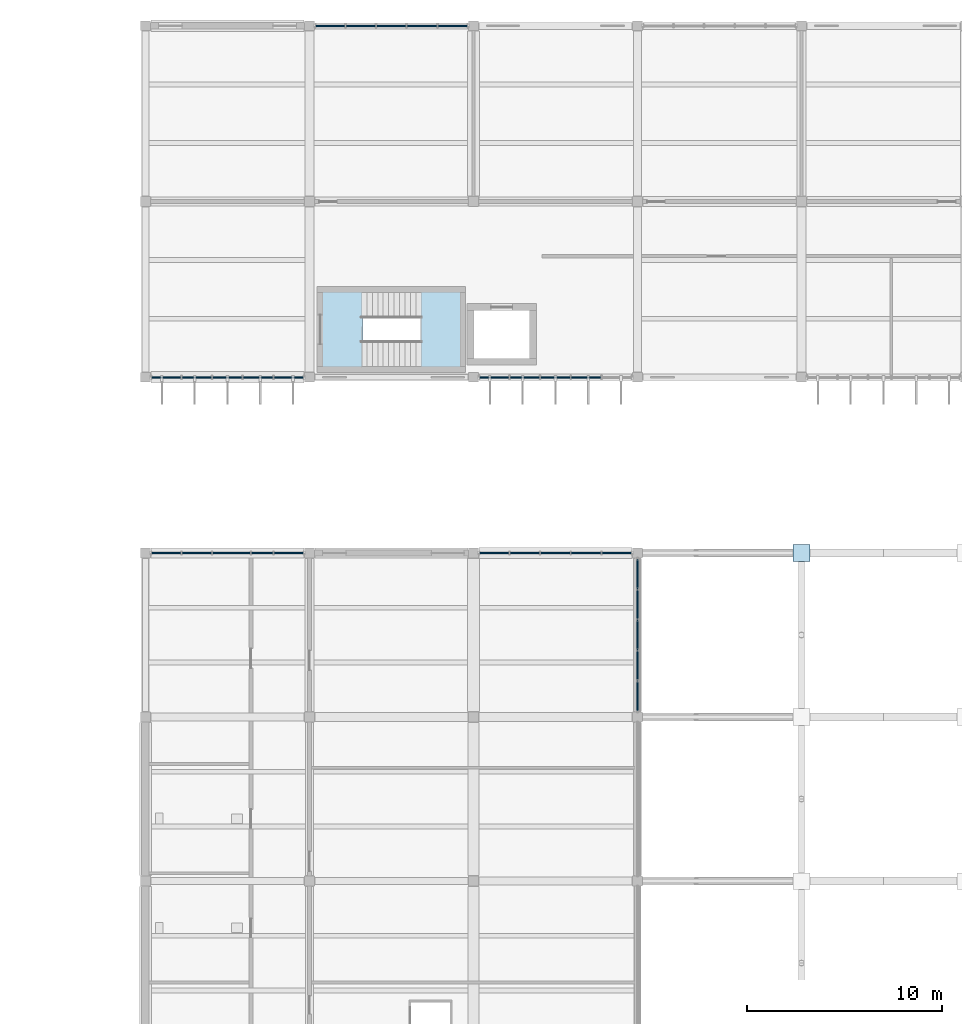
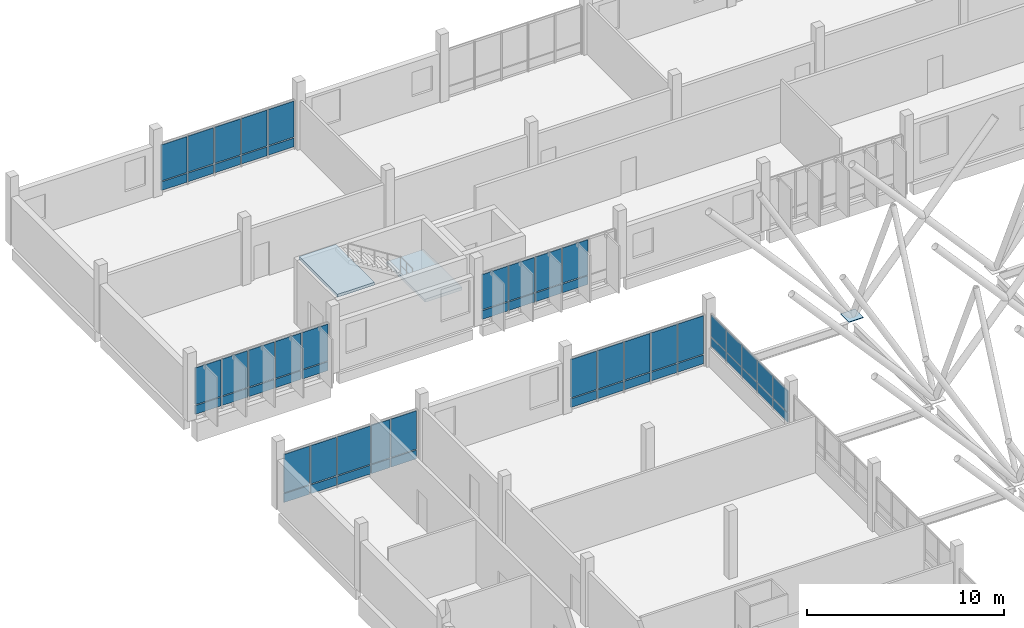
# One storey, part 77 of 107: 59 plates, 2 slabs, 7 elements without a shape of their own.
"""IFC4 building model written with IfcOpenShell, lengths in metres."""

from ifc_helpers import new_model, si_unit, direction, frame, origin, origin_2d, place, context, subcontext, project, spatial, polyline, rectangle, outline, extrude, material, layer, layer_set, type_object, element, aggregate, save


model = new_model("IFC4")

# Units and contexts
model_context = context("Model", 3, precision=1e-05, world=origin(), true_north=direction((0.0, 1.0)))
body_context = subcontext(model_context, "Body", "Model", "MODEL_VIEW")
ifc_project = project(units=[si_unit("LENGTHUNIT", "METRE"), si_unit("AREAUNIT", "SQUARE_METRE"), si_unit("VOLUMEUNIT", "CUBIC_METRE"), si_unit("PLANEANGLEUNIT", "RADIAN"), si_unit("MASSUNIT", "GRAM", prefix="KILO")], contexts=[model_context])

# Site, building, storey
site_placement = place(None, origin())
site = spatial("IfcSite", under=ifc_project, at=site_placement, CompositionType="ELEMENT")
building_placement = place(site_placement, origin())
building = spatial("IfcBuilding", under=site, at=building_placement, Name="Vireocrest Preparatory School", CompositionType="ELEMENT")
storey_placement = place(building_placement, frame((0.0, 0.0, 13.199951171875)))
storey = spatial("IfcBuildingStorey", under=building, at=storey_placement, Name="L03", CompositionType="ELEMENT", Elevation=13.199951171875)

# Curtain wall, plates
ifc_material_1 = material(Name="Thermally broken aluminium EN AW-6063-T6", Category="aluminium")
ifc_layer_1 = layer(ifc_material_1, 0.179931640625)
ifc_layer_set_1 = layer_set([ifc_layer_1], Name="Thermally broken aluminium EN AW-6063-T6")
curtain_wall_type_1 = type_object("IfcCurtainWallType", Name="Botanical Lab Glazing 8400x3400", PredefinedType="USERDEFINED", material=ifc_layer_set_1)
curtain_wall_1_placement = place(storey_placement, origin())
curtain_wall_1 = element("IfcCurtainWall", 1, at=curtain_wall_1_placement, inside=storey, type_object=curtain_wall_type_1, Name="Curtain Wall CW15 CW_L03_CW15_0422_0858_132", ObjectType="CURTAIN WALL", PredefinedType="USERDEFINED")
ifc_material_2 = material(Name="Insulated triple low-e tempered safety glass", Category="glass")
ifc_layer_2 = layer(ifc_material_2, 0.074951171875)
ifc_layer_set_2 = layer_set([ifc_layer_2], Name="Insulated triple low-e tempered safety glass")
plate_type_1 = type_object("IfcPlateType", Name="Acoustic Triple-Glazed Lab Curtain Panel 75", PredefinedType="CURTAIN_PANEL", material=ifc_layer_set_2)
plate_1_placement = place(storey_placement, frame((43.068115234375, 85.800048828125, 0.12744140625), z_axis=(0.0, 0.0, 1.0), x_axis=(1.0, 0.0, 0.0)))
plate_1 = element("IfcPlate", 2, at=plate_1_placement, type_object=plate_type_1, Name="CW Panel GL2 CW_L03_CW15_0422_0858_132-1-1", PredefinedType="CURTAIN_PANEL", context=body_context, shape_type="SweptSolid", body=[
    extrude(rectangle(XDim=1.5009765625, YDim=0.074951171875, at=origin_2d()), origin(), (0.0, 0.0, 1.0), 0.5400390625),
])
plate_2_placement = place(storey_placement, frame((43.068115234375, 85.800048828125, 0.732421875), z_axis=(0.0, 0.0, 1.0), x_axis=(1.0, 0.0, 0.0)))
plate_2 = element("IfcPlate", 3, at=plate_2_placement, type_object=plate_type_1, Name="CW Panel GL2 CW_L03_CW15_0422_0858_132-1-2", PredefinedType="CURTAIN_PANEL", context=body_context, shape_type="SweptSolid", body=[
    extrude(rectangle(XDim=1.5009765625, YDim=0.074951171875, at=origin_2d()), origin(), (0.0, 0.0, 1.0), 2.3701171875),
])
plate_3_placement = place(storey_placement, frame((44.634033203125, 85.800048828125, 0.12744140625), z_axis=(0.0, 0.0, 1.0), x_axis=(1.0, 0.0, 0.0)))
plate_3 = element("IfcPlate", 4, at=plate_3_placement, type_object=plate_type_1, Name="CW Panel GL2 CW_L03_CW15_0422_0858_132-2-1", PredefinedType="CURTAIN_PANEL", context=body_context, shape_type="SweptSolid", body=[
    extrude(rectangle(XDim=1.5009765625, YDim=0.074951171875, at=origin_2d()), origin(), (0.0, 0.0, 1.0), 0.5400390625),
])
plate_4_placement = place(storey_placement, frame((44.634033203125, 85.800048828125, 0.732421875), z_axis=(0.0, 0.0, 1.0), x_axis=(1.0, 0.0, 0.0)))
plate_4 = element("IfcPlate", 5, at=plate_4_placement, type_object=plate_type_1, Name="CW Panel GL2 CW_L03_CW15_0422_0858_132-2-2", PredefinedType="CURTAIN_PANEL", context=body_context, shape_type="SweptSolid", body=[
    extrude(rectangle(XDim=1.5009765625, YDim=0.074951171875, at=origin_2d()), origin(), (0.0, 0.0, 1.0), 2.3701171875),
])
plate_5_placement = place(storey_placement, frame((46.408447265625, 85.800048828125, 0.12744140625), z_axis=(0.0, 0.0, 1.0), x_axis=(1.0, 0.0, 0.0)))
plate_5 = element("IfcPlate", 6, at=plate_5_placement, type_object=plate_type_1, Name="CW Panel GL2 CW_L03_CW15_0422_0858_132-3-1", PredefinedType="CURTAIN_PANEL", context=body_context, shape_type="SweptSolid", body=[
    extrude(rectangle(XDim=1.91796875, YDim=0.074951171875, at=origin_2d()), origin(), (0.0, 0.0, 1.0), 0.5400390625),
])
plate_6_placement = place(storey_placement, frame((46.408447265625, 85.800048828125, 0.732421875), z_axis=(0.0, 0.0, 1.0), x_axis=(1.0, 0.0, 0.0)))
plate_6 = element("IfcPlate", 7, at=plate_6_placement, type_object=plate_type_1, Name="CW Panel GL2 CW_L03_CW15_0422_0858_132-3-2", PredefinedType="CURTAIN_PANEL", context=body_context, shape_type="SweptSolid", body=[
    extrude(rectangle(XDim=1.91796875, YDim=0.074951171875, at=origin_2d()), origin(), (0.0, 0.0, 1.0), 2.3701171875),
])
plate_7_placement = place(storey_placement, frame((47.974609375, 85.800048828125, 0.12744140625), z_axis=(0.0, 0.0, 1.0), x_axis=(1.0, 0.0, 0.0)))
plate_7 = element("IfcPlate", 8, at=plate_7_placement, type_object=plate_type_1, Name="CW Panel GL2 CW_L03_CW15_0422_0858_132-4-1", PredefinedType="CURTAIN_PANEL", context=body_context, shape_type="SweptSolid", body=[
    extrude(rectangle(XDim=1.083984375, YDim=0.074951171875, at=origin_2d()), origin(), (0.0, 0.0, 1.0), 0.5400390625),
])
plate_8_placement = place(storey_placement, frame((47.974609375, 85.800048828125, 0.732421875), z_axis=(0.0, 0.0, 1.0), x_axis=(1.0, 0.0, 0.0)))
plate_8 = element("IfcPlate", 9, at=plate_8_placement, type_object=plate_type_1, Name="CW Panel GL2 CW_L03_CW15_0422_0858_132-4-2", PredefinedType="CURTAIN_PANEL", context=body_context, shape_type="SweptSolid", body=[
    extrude(rectangle(XDim=1.083984375, YDim=0.074951171875, at=origin_2d()), origin(), (0.0, 0.0, 1.0), 2.3701171875),
])
plate_9_placement = place(storey_placement, frame((49.33203125, 85.800048828125, 0.12744140625), z_axis=(0.0, 0.0, 1.0), x_axis=(1.0, 0.0, 0.0)))
plate_9 = element("IfcPlate", 10, at=plate_9_placement, type_object=plate_type_1, Name="CW Panel GL2 CW_L03_CW15_0422_0858_132-5-1", PredefinedType="CURTAIN_PANEL", context=body_context, shape_type="SweptSolid", body=[
    extrude(rectangle(XDim=1.5009765625, YDim=0.074951171875, at=origin_2d()), origin(), (0.0, 0.0, 1.0), 0.5400390625),
])
plate_10_placement = place(storey_placement, frame((49.33203125, 85.800048828125, 0.732421875), z_axis=(0.0, 0.0, 1.0), x_axis=(1.0, 0.0, 0.0)))
plate_10 = element("IfcPlate", 11, at=plate_10_placement, type_object=plate_type_1, Name="CW Panel GL2 CW_L03_CW15_0422_0858_132-5-2", PredefinedType="CURTAIN_PANEL", context=body_context, shape_type="SweptSolid", body=[
    extrude(rectangle(XDim=1.5009765625, YDim=0.074951171875, at=origin_2d()), origin(), (0.0, 0.0, 1.0), 2.3701171875),
])
aggregate(curtain_wall_1, [plate_1, plate_2, plate_3, plate_4, plate_5, plate_6, plate_7, plate_8, plate_9, plate_10])

ifc_layer_3 = layer(ifc_material_1, 0.179931640625)
ifc_layer_set_3 = layer_set([ifc_layer_3], Name="Thermally broken aluminium EN AW-6063-T6")
curtain_wall_type_2 = type_object("IfcCurtainWallType", Name="Library Reading Bay Glazing 7600x4200", PredefinedType="USERDEFINED", material=ifc_layer_set_3)
curtain_wall_2_placement = place(storey_placement, origin())
curtain_wall_2 = element("IfcCurtainWall", 12, at=curtain_wall_2_placement, inside=storey, type_object=curtain_wall_type_2, Name="Curtain Wall CW16 CW_L03_CW16_0590_0858_132", ObjectType="CURTAIN WALL", PredefinedType="USERDEFINED")
plate_11_placement = place(storey_placement, frame((59.867919921875, 85.800048828125, 0.12744140625), z_axis=(0.0, 0.0, 1.0), x_axis=(1.0, 0.0, 0.0)))
plate_11 = element("IfcPlate", 13, at=plate_11_placement, type_object=plate_type_1, Name="CW Panel GL2 CW_L03_CW16_0590_0858_132-1-1", PredefinedType="CURTAIN_PANEL", context=body_context, shape_type="SweptSolid", body=[
    extrude(rectangle(XDim=1.5009765625, YDim=0.074951171875, at=origin_2d()), origin(), (0.0, 0.0, 1.0), 0.5400390625),
])
plate_12_placement = place(storey_placement, frame((59.867919921875, 85.800048828125, 0.732421875), z_axis=(0.0, 0.0, 1.0), x_axis=(1.0, 0.0, 0.0)))
plate_12 = element("IfcPlate", 14, at=plate_12_placement, type_object=plate_type_1, Name="CW Panel GL2 CW_L03_CW16_0590_0858_132-1-2", PredefinedType="CURTAIN_PANEL", context=body_context, shape_type="SweptSolid", body=[
    extrude(rectangle(XDim=1.5009765625, YDim=0.074951171875, at=origin_2d()), origin(), (0.0, 0.0, 1.0), 2.3701171875),
])
plate_13_placement = place(storey_placement, frame((61.43408203125, 85.800048828125, 0.12744140625), z_axis=(0.0, 0.0, 1.0), x_axis=(1.0, 0.0, 0.0)))
plate_13 = element("IfcPlate", 15, at=plate_13_placement, type_object=plate_type_1, Name="CW Panel GL2 CW_L03_CW16_0590_0858_132-2-1", PredefinedType="CURTAIN_PANEL", context=body_context, shape_type="SweptSolid", body=[
    extrude(rectangle(XDim=1.5009765625, YDim=0.074951171875, at=origin_2d()), origin(), (0.0, 0.0, 1.0), 0.5400390625),
])
plate_14_placement = place(storey_placement, frame((61.43408203125, 85.800048828125, 0.732421875), z_axis=(0.0, 0.0, 1.0), x_axis=(1.0, 0.0, 0.0)))
plate_14 = element("IfcPlate", 16, at=plate_14_placement, type_object=plate_type_1, Name="CW Panel GL2 CW_L03_CW16_0590_0858_132-2-2", PredefinedType="CURTAIN_PANEL", context=body_context, shape_type="SweptSolid", body=[
    extrude(rectangle(XDim=1.5009765625, YDim=0.074951171875, at=origin_2d()), origin(), (0.0, 0.0, 1.0), 2.3701171875),
])
plate_15_placement = place(storey_placement, frame((63.0, 85.800048828125, 0.12744140625), z_axis=(0.0, 0.0, 1.0), x_axis=(1.0, 0.0, 0.0)))
plate_15 = element("IfcPlate", 17, at=plate_15_placement, type_object=plate_type_1, Name="CW Panel GL2 CW_L03_CW16_0590_0858_132-3-1", PredefinedType="CURTAIN_PANEL", context=body_context, shape_type="SweptSolid", body=[
    extrude(rectangle(XDim=1.5009765625, YDim=0.074951171875, at=origin_2d()), origin(), (0.0, 0.0, 1.0), 0.5400390625),
])
plate_16_placement = place(storey_placement, frame((63.0, 85.800048828125, 0.732421875), z_axis=(0.0, 0.0, 1.0), x_axis=(1.0, 0.0, 0.0)))
plate_16 = element("IfcPlate", 18, at=plate_16_placement, type_object=plate_type_1, Name="CW Panel GL2 CW_L03_CW16_0590_0858_132-3-2", PredefinedType="CURTAIN_PANEL", context=body_context, shape_type="SweptSolid", body=[
    extrude(rectangle(XDim=1.5009765625, YDim=0.074951171875, at=origin_2d()), origin(), (0.0, 0.0, 1.0), 2.3701171875),
])
plate_17_placement = place(storey_placement, frame((64.56591796875, 85.800048828125, 0.12744140625), z_axis=(0.0, 0.0, 1.0), x_axis=(1.0, 0.0, 0.0)))
plate_17 = element("IfcPlate", 19, at=plate_17_placement, type_object=plate_type_1, Name="CW Panel GL2 CW_L03_CW16_0590_0858_132-4-1", PredefinedType="CURTAIN_PANEL", context=body_context, shape_type="SweptSolid", body=[
    extrude(rectangle(XDim=1.5009765625, YDim=0.074951171875, at=origin_2d()), origin(), (0.0, 0.0, 1.0), 0.5400390625),
])
plate_18_placement = place(storey_placement, frame((64.56591796875, 85.800048828125, 0.732421875), z_axis=(0.0, 0.0, 1.0), x_axis=(1.0, 0.0, 0.0)))
plate_18 = element("IfcPlate", 20, at=plate_18_placement, type_object=plate_type_1, Name="CW Panel GL2 CW_L03_CW16_0590_0858_132-4-2", PredefinedType="CURTAIN_PANEL", context=body_context, shape_type="SweptSolid", body=[
    extrude(rectangle(XDim=1.5009765625, YDim=0.074951171875, at=origin_2d()), origin(), (0.0, 0.0, 1.0), 2.3701171875),
])
plate_19_placement = place(storey_placement, frame((66.132080078125, 85.800048828125, 0.12744140625), z_axis=(0.0, 0.0, 1.0), x_axis=(1.0, 0.0, 0.0)))
plate_19 = element("IfcPlate", 21, at=plate_19_placement, type_object=plate_type_1, Name="CW Panel GL2 CW_L03_CW16_0590_0858_132-5-1", PredefinedType="CURTAIN_PANEL", context=body_context, shape_type="SweptSolid", body=[
    extrude(rectangle(XDim=1.5009765625, YDim=0.074951171875, at=origin_2d()), origin(), (0.0, 0.0, 1.0), 0.5400390625),
])
plate_20_placement = place(storey_placement, frame((66.132080078125, 85.800048828125, 0.732421875), z_axis=(0.0, 0.0, 1.0), x_axis=(1.0, 0.0, 0.0)))
plate_20 = element("IfcPlate", 22, at=plate_20_placement, type_object=plate_type_1, Name="CW Panel GL2 CW_L03_CW16_0590_0858_132-5-2", PredefinedType="CURTAIN_PANEL", context=body_context, shape_type="SweptSolid", body=[
    extrude(rectangle(XDim=1.5009765625, YDim=0.074951171875, at=origin_2d()), origin(), (0.0, 0.0, 1.0), 2.3701171875),
])
aggregate(curtain_wall_2, [plate_11, plate_12, plate_13, plate_14, plate_15, plate_16, plate_17, plate_18, plate_19, plate_20])

ifc_layer_4 = layer(ifc_material_1, 0.179931640625)
ifc_layer_set_4 = layer_set([ifc_layer_4], Name="Thermally broken aluminium EN AW-6063-T6")
curtain_wall_type_3 = type_object("IfcCurtainWallType", Name="North Street Curtain Wall 8400x4000", PredefinedType="USERDEFINED", material=ifc_layer_set_4)
curtain_wall_3_placement = place(storey_placement, origin())
curtain_wall_3 = element("IfcCurtainWall", 23, at=curtain_wall_3_placement, inside=storey, type_object=curtain_wall_type_3, Name="Curtain Wall CW05 CW_L03_CW05_0506_1128_132", ObjectType="CURTAIN WALL", PredefinedType="USERDEFINED")
plate_21_placement = place(storey_placement, frame((51.468017578125, 112.800048828125, 0.12744140625), z_axis=(0.0, 0.0, 1.0), x_axis=(1.0, 0.0, 0.0)))
plate_21 = element("IfcPlate", 24, at=plate_21_placement, type_object=plate_type_1, Name="CW Panel GL2 CW_L03_CW05_0506_1128_132-1-1", PredefinedType="CURTAIN_PANEL", context=body_context, shape_type="SweptSolid", body=[
    extrude(rectangle(XDim=1.5009765625, YDim=0.074951171875, at=origin_2d()), origin(), (0.0, 0.0, 1.0), 0.5400390625),
])
plate_22_placement = place(storey_placement, frame((51.468017578125, 112.800048828125, 0.732421875), z_axis=(0.0, 0.0, 1.0), x_axis=(1.0, 0.0, 0.0)))
plate_22 = element("IfcPlate", 25, at=plate_22_placement, type_object=plate_type_1, Name="CW Panel GL2 CW_L03_CW05_0506_1128_132-1-2", PredefinedType="CURTAIN_PANEL", context=body_context, shape_type="SweptSolid", body=[
    extrude(rectangle(XDim=1.5009765625, YDim=0.074951171875, at=origin_2d()), origin(), (0.0, 0.0, 1.0), 2.219970703125),
])
plate_23_placement = place(storey_placement, frame((53.033935546875, 112.800048828125, 0.12744140625), z_axis=(0.0, 0.0, 1.0), x_axis=(1.0, 0.0, 0.0)))
plate_23 = element("IfcPlate", 26, at=plate_23_placement, type_object=plate_type_1, Name="CW Panel GL2 CW_L03_CW05_0506_1128_132-2-1", PredefinedType="CURTAIN_PANEL", context=body_context, shape_type="SweptSolid", body=[
    extrude(rectangle(XDim=1.5009765625, YDim=0.074951171875, at=origin_2d()), origin(), (0.0, 0.0, 1.0), 0.5400390625),
])
plate_24_placement = place(storey_placement, frame((53.033935546875, 112.800048828125, 0.732421875), z_axis=(0.0, 0.0, 1.0), x_axis=(1.0, 0.0, 0.0)))
plate_24 = element("IfcPlate", 27, at=plate_24_placement, type_object=plate_type_1, Name="CW Panel GL2 CW_L03_CW05_0506_1128_132-2-2", PredefinedType="CURTAIN_PANEL", context=body_context, shape_type="SweptSolid", body=[
    extrude(rectangle(XDim=1.5009765625, YDim=0.074951171875, at=origin_2d()), origin(), (0.0, 0.0, 1.0), 2.219970703125),
])
plate_25_placement = place(storey_placement, frame((54.60009765625, 112.800048828125, 0.12744140625), z_axis=(0.0, 0.0, 1.0), x_axis=(1.0, 0.0, 0.0)))
plate_25 = element("IfcPlate", 28, at=plate_25_placement, type_object=plate_type_1, Name="CW Panel GL2 CW_L03_CW05_0506_1128_132-3-1", PredefinedType="CURTAIN_PANEL", context=body_context, shape_type="SweptSolid", body=[
    extrude(rectangle(XDim=1.5009765625, YDim=0.074951171875, at=origin_2d()), origin(), (0.0, 0.0, 1.0), 0.5400390625),
])
plate_26_placement = place(storey_placement, frame((54.60009765625, 112.800048828125, 0.732421875), z_axis=(0.0, 0.0, 1.0), x_axis=(1.0, 0.0, 0.0)))
plate_26 = element("IfcPlate", 29, at=plate_26_placement, type_object=plate_type_1, Name="CW Panel GL2 CW_L03_CW05_0506_1128_132-3-2", PredefinedType="CURTAIN_PANEL", context=body_context, shape_type="SweptSolid", body=[
    extrude(rectangle(XDim=1.5009765625, YDim=0.074951171875, at=origin_2d()), origin(), (0.0, 0.0, 1.0), 2.219970703125),
])
plate_27_placement = place(storey_placement, frame((56.166015625, 112.800048828125, 0.12744140625), z_axis=(0.0, 0.0, 1.0), x_axis=(1.0, 0.0, 0.0)))
plate_27 = element("IfcPlate", 30, at=plate_27_placement, type_object=plate_type_1, Name="CW Panel GL2 CW_L03_CW05_0506_1128_132-4-1", PredefinedType="CURTAIN_PANEL", context=body_context, shape_type="SweptSolid", body=[
    extrude(rectangle(XDim=1.5009765625, YDim=0.074951171875, at=origin_2d()), origin(), (0.0, 0.0, 1.0), 0.5400390625),
])
plate_28_placement = place(storey_placement, frame((56.166015625, 112.800048828125, 0.732421875), z_axis=(0.0, 0.0, 1.0), x_axis=(1.0, 0.0, 0.0)))
plate_28 = element("IfcPlate", 31, at=plate_28_placement, type_object=plate_type_1, Name="CW Panel GL2 CW_L03_CW05_0506_1128_132-4-2", PredefinedType="CURTAIN_PANEL", context=body_context, shape_type="SweptSolid", body=[
    extrude(rectangle(XDim=1.5009765625, YDim=0.074951171875, at=origin_2d()), origin(), (0.0, 0.0, 1.0), 2.219970703125),
])
plate_29_placement = place(storey_placement, frame((57.73193359375, 112.800048828125, 0.12744140625), z_axis=(0.0, 0.0, 1.0), x_axis=(1.0, 0.0, 0.0)))
plate_29 = element("IfcPlate", 32, at=plate_29_placement, type_object=plate_type_1, Name="CW Panel GL2 CW_L03_CW05_0506_1128_132-5-1", PredefinedType="CURTAIN_PANEL", context=body_context, shape_type="SweptSolid", body=[
    extrude(rectangle(XDim=1.5009765625, YDim=0.074951171875, at=origin_2d()), origin(), (0.0, 0.0, 1.0), 0.5400390625),
])
plate_30_placement = place(storey_placement, frame((57.73193359375, 112.800048828125, 0.732421875), z_axis=(0.0, 0.0, 1.0), x_axis=(1.0, 0.0, 0.0)))
plate_30 = element("IfcPlate", 33, at=plate_30_placement, type_object=plate_type_1, Name="CW Panel GL2 CW_L03_CW05_0506_1128_132-5-2", PredefinedType="CURTAIN_PANEL", context=body_context, shape_type="SweptSolid", body=[
    extrude(rectangle(XDim=1.5009765625, YDim=0.074951171875, at=origin_2d()), origin(), (0.0, 0.0, 1.0), 2.219970703125),
])
aggregate(curtain_wall_3, [plate_21, plate_22, plate_23, plate_24, plate_25, plate_26, plate_27, plate_28, plate_29, plate_30])

curtain_wall_4_placement = place(storey_placement, origin())
curtain_wall_4 = element("IfcCurtainWall", 34, at=curtain_wall_4_placement, inside=storey, type_object=curtain_wall_type_1, Name="Curtain Wall CW15 CW_L03_CW15_0422_0948_132", ObjectType="CURTAIN WALL", PredefinedType="USERDEFINED")
plate_31_placement = place(storey_placement, frame((43.068115234375, 94.800048828125, 0.12744140625), z_axis=(0.0, 0.0, 1.0), x_axis=(1.0, 0.0, 0.0)))
plate_31 = element("IfcPlate", 35, at=plate_31_placement, type_object=plate_type_1, Name="CW Panel GL2 CW_L03_CW15_0422_0948_132-1-1", PredefinedType="CURTAIN_PANEL", context=body_context, shape_type="SweptSolid", body=[
    extrude(rectangle(XDim=1.5009765625, YDim=0.074951171875, at=origin_2d()), origin(), (0.0, 0.0, 1.0), 0.5400390625),
])
plate_32_placement = place(storey_placement, frame((43.068115234375, 94.800048828125, 0.732421875), z_axis=(0.0, 0.0, 1.0), x_axis=(1.0, 0.0, 0.0)))
plate_32 = element("IfcPlate", 36, at=plate_32_placement, type_object=plate_type_1, Name="CW Panel GL2 CW_L03_CW15_0422_0948_132-1-2", PredefinedType="CURTAIN_PANEL", context=body_context, shape_type="SweptSolid", body=[
    extrude(rectangle(XDim=1.5009765625, YDim=0.074951171875, at=origin_2d()), origin(), (0.0, 0.0, 1.0), 2.27001953125),
])
plate_33_placement = place(storey_placement, frame((44.634033203125, 94.800048828125, 0.12744140625), z_axis=(0.0, 0.0, 1.0), x_axis=(1.0, 0.0, 0.0)))
plate_33 = element("IfcPlate", 37, at=plate_33_placement, type_object=plate_type_1, Name="CW Panel GL2 CW_L03_CW15_0422_0948_132-2-1", PredefinedType="CURTAIN_PANEL", context=body_context, shape_type="SweptSolid", body=[
    extrude(rectangle(XDim=1.5009765625, YDim=0.074951171875, at=origin_2d()), origin(), (0.0, 0.0, 1.0), 0.5400390625),
])
plate_34_placement = place(storey_placement, frame((44.634033203125, 94.800048828125, 0.732421875), z_axis=(0.0, 0.0, 1.0), x_axis=(1.0, 0.0, 0.0)))
plate_34 = element("IfcPlate", 38, at=plate_34_placement, type_object=plate_type_1, Name="CW Panel GL2 CW_L03_CW15_0422_0948_132-2-2", PredefinedType="CURTAIN_PANEL", context=body_context, shape_type="SweptSolid", body=[
    extrude(rectangle(XDim=1.5009765625, YDim=0.074951171875, at=origin_2d()), origin(), (0.0, 0.0, 1.0), 2.27001953125),
])
plate_35_placement = place(storey_placement, frame((46.199951171875, 94.800048828125, 0.12744140625), z_axis=(0.0, 0.0, 1.0), x_axis=(1.0, 0.0, 0.0)))
plate_35 = element("IfcPlate", 39, at=plate_35_placement, type_object=plate_type_1, Name="CW Panel GL2 CW_L03_CW15_0422_0948_132-3-1", PredefinedType="CURTAIN_PANEL", context=body_context, shape_type="SweptSolid", body=[
    extrude(rectangle(XDim=1.5009765625, YDim=0.074951171875, at=origin_2d()), origin(), (0.0, 0.0, 1.0), 0.5400390625),
])
plate_36_placement = place(storey_placement, frame((46.199951171875, 94.800048828125, 0.732421875), z_axis=(0.0, 0.0, 1.0), x_axis=(1.0, 0.0, 0.0)))
plate_36 = element("IfcPlate", 40, at=plate_36_placement, type_object=plate_type_1, Name="CW Panel GL2 CW_L03_CW15_0422_0948_132-3-2", PredefinedType="CURTAIN_PANEL", context=body_context, shape_type="SweptSolid", body=[
    extrude(rectangle(XDim=1.5009765625, YDim=0.074951171875, at=origin_2d()), origin(), (0.0, 0.0, 1.0), 2.27001953125),
])
plate_37_placement = place(storey_placement, frame((47.76611328125, 94.800048828125, 0.12744140625), z_axis=(0.0, 0.0, 1.0), x_axis=(1.0, 0.0, 0.0)))
plate_37 = element("IfcPlate", 41, at=plate_37_placement, type_object=plate_type_1, Name="CW Panel GL2 CW_L03_CW15_0422_0948_132-4-1", PredefinedType="CURTAIN_PANEL", context=body_context, shape_type="SweptSolid", body=[
    extrude(rectangle(XDim=1.5009765625, YDim=0.074951171875, at=origin_2d()), origin(), (0.0, 0.0, 1.0), 0.5400390625),
])
plate_38_placement = place(storey_placement, frame((47.76611328125, 94.800048828125, 0.732421875), z_axis=(0.0, 0.0, 1.0), x_axis=(1.0, 0.0, 0.0)))
plate_38 = element("IfcPlate", 42, at=plate_38_placement, type_object=plate_type_1, Name="CW Panel GL2 CW_L03_CW15_0422_0948_132-4-2", PredefinedType="CURTAIN_PANEL", context=body_context, shape_type="SweptSolid", body=[
    extrude(rectangle(XDim=1.5009765625, YDim=0.074951171875, at=origin_2d()), origin(), (0.0, 0.0, 1.0), 2.27001953125),
])
plate_39_placement = place(storey_placement, frame((49.33203125, 94.800048828125, 0.12744140625), z_axis=(0.0, 0.0, 1.0), x_axis=(1.0, 0.0, 0.0)))
plate_39 = element("IfcPlate", 43, at=plate_39_placement, type_object=plate_type_1, Name="CW Panel GL2 CW_L03_CW15_0422_0948_132-5-1", PredefinedType="CURTAIN_PANEL", context=body_context, shape_type="SweptSolid", body=[
    extrude(rectangle(XDim=1.5009765625, YDim=0.074951171875, at=origin_2d()), origin(), (0.0, 0.0, 1.0), 0.5400390625),
])
plate_40_placement = place(storey_placement, frame((49.33203125, 94.800048828125, 0.732421875), z_axis=(0.0, 0.0, 1.0), x_axis=(1.0, 0.0, 0.0)))
plate_40 = element("IfcPlate", 44, at=plate_40_placement, type_object=plate_type_1, Name="CW Panel GL2 CW_L03_CW15_0422_0948_132-5-2", PredefinedType="CURTAIN_PANEL", context=body_context, shape_type="SweptSolid", body=[
    extrude(rectangle(XDim=1.5009765625, YDim=0.074951171875, at=origin_2d()), origin(), (0.0, 0.0, 1.0), 2.27001953125),
])
aggregate(curtain_wall_4, [plate_31, plate_32, plate_33, plate_34, plate_35, plate_36, plate_37, plate_38, plate_39, plate_40])

curtain_wall_5_placement = place(storey_placement, origin())
curtain_wall_5 = element("IfcCurtainWall", 45, at=curtain_wall_5_placement, inside=storey, type_object=curtain_wall_type_2, Name="Curtain Wall CW16 CW_L03_CW16_0590_0948_132", ObjectType="CURTAIN WALL", PredefinedType="USERDEFINED")
plate_41_placement = place(storey_placement, frame((59.867919921875, 94.800048828125, 0.12744140625), z_axis=(0.0, 0.0, 1.0), x_axis=(1.0, 0.0, 0.0)))
plate_41 = element("IfcPlate", 46, at=plate_41_placement, type_object=plate_type_1, Name="CW Panel GL2 CW_L03_CW16_0590_0948_132-1-1", PredefinedType="CURTAIN_PANEL", context=body_context, shape_type="SweptSolid", body=[
    extrude(rectangle(XDim=1.5009765625, YDim=0.074951171875, at=origin_2d()), origin(), (0.0, 0.0, 1.0), 0.5400390625),
])
plate_42_placement = place(storey_placement, frame((59.867919921875, 94.800048828125, 0.732666015625), z_axis=(0.0, 0.0, 1.0), x_axis=(1.0, 0.0, 0.0)))
plate_42 = element("IfcPlate", 47, at=plate_42_placement, type_object=plate_type_1, Name="CW Panel GL2 CW_L03_CW16_0590_0948_132-1-2", PredefinedType="CURTAIN_PANEL", context=body_context, shape_type="SweptSolid", body=[
    extrude(rectangle(XDim=1.5009765625, YDim=0.074951171875, at=origin_2d()), origin(), (0.0, 0.0, 1.0), 2.169921875),
])
plate_43_placement = place(storey_placement, frame((61.43408203125, 94.800048828125, 0.12744140625), z_axis=(0.0, 0.0, 1.0), x_axis=(1.0, 0.0, 0.0)))
plate_43 = element("IfcPlate", 48, at=plate_43_placement, type_object=plate_type_1, Name="CW Panel GL2 CW_L03_CW16_0590_0948_132-2-1", PredefinedType="CURTAIN_PANEL", context=body_context, shape_type="SweptSolid", body=[
    extrude(rectangle(XDim=1.5009765625, YDim=0.074951171875, at=origin_2d()), origin(), (0.0, 0.0, 1.0), 0.5400390625),
])
plate_44_placement = place(storey_placement, frame((61.43408203125, 94.800048828125, 0.732666015625), z_axis=(0.0, 0.0, 1.0), x_axis=(1.0, 0.0, 0.0)))
plate_44 = element("IfcPlate", 49, at=plate_44_placement, type_object=plate_type_1, Name="CW Panel GL2 CW_L03_CW16_0590_0948_132-2-2", PredefinedType="CURTAIN_PANEL", context=body_context, shape_type="SweptSolid", body=[
    extrude(rectangle(XDim=1.5009765625, YDim=0.074951171875, at=origin_2d()), origin(), (0.0, 0.0, 1.0), 2.169921875),
])
plate_45_placement = place(storey_placement, frame((63.0, 94.800048828125, 0.12744140625), z_axis=(0.0, 0.0, 1.0), x_axis=(1.0, 0.0, 0.0)))
plate_45 = element("IfcPlate", 50, at=plate_45_placement, type_object=plate_type_1, Name="CW Panel GL2 CW_L03_CW16_0590_0948_132-3-1", PredefinedType="CURTAIN_PANEL", context=body_context, shape_type="SweptSolid", body=[
    extrude(rectangle(XDim=1.5009765625, YDim=0.074951171875, at=origin_2d()), origin(), (0.0, 0.0, 1.0), 0.5400390625),
])
plate_46_placement = place(storey_placement, frame((63.0, 94.800048828125, 0.732666015625), z_axis=(0.0, 0.0, 1.0), x_axis=(1.0, 0.0, 0.0)))
plate_46 = element("IfcPlate", 51, at=plate_46_placement, type_object=plate_type_1, Name="CW Panel GL2 CW_L03_CW16_0590_0948_132-3-2", PredefinedType="CURTAIN_PANEL", context=body_context, shape_type="SweptSolid", body=[
    extrude(rectangle(XDim=1.5009765625, YDim=0.074951171875, at=origin_2d()), origin(), (0.0, 0.0, 1.0), 2.169921875),
])
plate_47_placement = place(storey_placement, frame((64.56591796875, 94.800048828125, 0.12744140625), z_axis=(0.0, 0.0, 1.0), x_axis=(1.0, 0.0, 0.0)))
plate_47 = element("IfcPlate", 52, at=plate_47_placement, type_object=plate_type_1, Name="CW Panel GL2 CW_L03_CW16_0590_0948_132-4-1", PredefinedType="CURTAIN_PANEL", context=body_context, shape_type="SweptSolid", body=[
    extrude(rectangle(XDim=1.5009765625, YDim=0.074951171875, at=origin_2d()), origin(), (0.0, 0.0, 1.0), 0.5400390625),
])
plate_48_placement = place(storey_placement, frame((64.56591796875, 94.800048828125, 0.732666015625), z_axis=(0.0, 0.0, 1.0), x_axis=(1.0, 0.0, 0.0)))
plate_48 = element("IfcPlate", 53, at=plate_48_placement, type_object=plate_type_1, Name="CW Panel GL2 CW_L03_CW16_0590_0948_132-4-2", PredefinedType="CURTAIN_PANEL", context=body_context, shape_type="SweptSolid", body=[
    extrude(rectangle(XDim=1.5009765625, YDim=0.074951171875, at=origin_2d()), origin(), (0.0, 0.0, 1.0), 2.169921875),
])
aggregate(curtain_wall_5, [plate_41, plate_42, plate_43, plate_44, plate_45, plate_46, plate_47, plate_48])

# Stair, slabs
ifc_material_3 = material(Name="Concrete 40 MPa", Category="concrete")
stair_type = type_object("IfcStairType", Name="Basement Service Stair 4200 Rise 1350 Wide", PredefinedType="HALF_TURN_STAIR", material=ifc_material_3)
stair_placement = place(storey_placement, origin())
stair = element("IfcStair", 54, at=stair_placement, inside=storey, type_object=stair_type, Name="Two-Run Stair ST3-L03", PredefinedType="HALF_TURN_STAIR")
ifc_layer_5 = layer(ifc_material_3, 0.179931640625)
ifc_layer_set_5 = layer_set([ifc_layer_5], Name="Concrete 40 MPa")
slab_type = type_object("IfcSlabType", Name="Precast Concrete Stair Landing Slab 180", PredefinedType="LANDING", material=ifc_layer_set_5)
slab_1_placement = place(storey_placement, frame((0.0, 0.0, 1.920166015625)))
slab_1 = element("IfcSlab", 55, at=slab_1_placement, type_object=slab_type, Name="Stair Half-Landing ST3-L03", PredefinedType="LANDING", context=body_context, shape_type="SweptSolid", body=[
    extrude(outline(polyline([(56.080078125, 95.31005859375), (58.2451171875, 95.31005859375), (58.2451171875, 99.18994140625), (56.080078125, 99.18994140625), (56.080078125, 95.31005859375)])), origin(), (0.0, 0.0, 1.0), 0.179931640625),
])
slab_2_placement = place(storey_placement, frame((0.0, 0.0, 4.02001953125)))
slab_2 = element("IfcSlab", 56, at=slab_2_placement, type_object=slab_type, Name="Stair Arrival Landing ST3-L03", PredefinedType="LANDING", context=body_context, shape_type="SweptSolid", body=[
    extrude(outline(polyline([(50.955078125, 95.31005859375), (53.1201171875, 95.31005859375), (53.1201171875, 99.18994140625), (50.955078125, 99.18994140625), (50.955078125, 95.31005859375)])), origin(), (0.0, 0.0, 1.0), 0.179931640625),
])
aggregate(stair, [slab_1, slab_2])

# Curtain wall, plates
ifc_layer_6 = layer(ifc_material_1, 0.179931640625)
ifc_layer_set_6 = layer_set([ifc_layer_6], Name="Thermally broken aluminium EN AW-6063-T6")
curtain_wall_type_4 = type_object("IfcCurtainWallType", Name="Court Banded Curtain Wall 8400x3000", PredefinedType="USERDEFINED", material=ifc_layer_set_6)
curtain_wall_6_placement = place(storey_placement, origin())
curtain_wall_6 = element("IfcCurtainWall", 57, at=curtain_wall_6_placement, inside=storey, type_object=curtain_wall_type_4, Name="Curtain Wall CW02 CW_L03_CW02_0672_0776_144", ObjectType="CURTAIN WALL", PredefinedType="USERDEFINED")
ifc_layer_7 = layer(ifc_material_2, 0.06005859375)
ifc_layer_set_7 = layer_set([ifc_layer_7], Name="Insulated triple low-e tempered safety glass")
plate_type_2 = type_object("IfcPlateType", Name="Triple-Glazed Vision Curtain Panel 60", PredefinedType="CURTAIN_PANEL", material=ifc_layer_set_7)
plate_49_placement = place(storey_placement, frame((67.199951171875, 78.468017578125, 1.277587890625), z_axis=(0.0, 0.0, 1.0), x_axis=(0.0, 1.0, 0.0)))
plate_49 = element("IfcPlate", 58, at=plate_49_placement, type_object=plate_type_2, Name="CW Panel GL1 CW_L03_CW02_0672_0776_144-1-1", PredefinedType="CURTAIN_PANEL", context=body_context, shape_type="SweptSolid", body=[
    extrude(rectangle(XDim=1.5009765625, YDim=0.06005859375, at=origin_2d()), origin(), (0.0, 0.0, 1.0), 0.5400390625),
])
plate_50_placement = place(storey_placement, frame((67.199951171875, 78.468017578125, 1.88232421875), z_axis=(0.0, 0.0, 1.0), x_axis=(0.0, 1.0, 0.0)))
plate_50 = element("IfcPlate", 59, at=plate_50_placement, type_object=plate_type_2, Name="CW Panel GL1 CW_L03_CW02_0672_0776_144-1-2", PredefinedType="CURTAIN_PANEL", context=body_context, shape_type="SweptSolid", body=[
    extrude(rectangle(XDim=1.5009765625, YDim=0.06005859375, at=origin_2d()), origin(), (0.0, 0.0, 1.0), 1.320068359375),
])
plate_51_placement = place(storey_placement, frame((67.199951171875, 80.033935546875, 1.277587890625), z_axis=(0.0, 0.0, 1.0), x_axis=(0.0, 1.0, 0.0)))
plate_51 = element("IfcPlate", 60, at=plate_51_placement, type_object=plate_type_2, Name="CW Panel GL1 CW_L03_CW02_0672_0776_144-2-1", PredefinedType="CURTAIN_PANEL", context=body_context, shape_type="SweptSolid", body=[
    extrude(rectangle(XDim=1.5009765625, YDim=0.06005859375, at=origin_2d()), origin(), (0.0, 0.0, 1.0), 0.5400390625),
])
plate_52_placement = place(storey_placement, frame((67.199951171875, 80.033935546875, 1.88232421875), z_axis=(0.0, 0.0, 1.0), x_axis=(0.0, 1.0, 0.0)))
plate_52 = element("IfcPlate", 61, at=plate_52_placement, type_object=plate_type_2, Name="CW Panel GL1 CW_L03_CW02_0672_0776_144-2-2", PredefinedType="CURTAIN_PANEL", context=body_context, shape_type="SweptSolid", body=[
    extrude(rectangle(XDim=1.5009765625, YDim=0.06005859375, at=origin_2d()), origin(), (0.0, 0.0, 1.0), 1.320068359375),
])
plate_53_placement = place(storey_placement, frame((67.199951171875, 81.60009765625, 1.277587890625), z_axis=(0.0, 0.0, 1.0), x_axis=(0.0, 1.0, 0.0)))
plate_53 = element("IfcPlate", 62, at=plate_53_placement, type_object=plate_type_2, Name="CW Panel GL1 CW_L03_CW02_0672_0776_144-3-1", PredefinedType="CURTAIN_PANEL", context=body_context, shape_type="SweptSolid", body=[
    extrude(rectangle(XDim=1.5009765625, YDim=0.06005859375, at=origin_2d()), origin(), (0.0, 0.0, 1.0), 0.5400390625),
])
plate_54_placement = place(storey_placement, frame((67.199951171875, 81.60009765625, 1.88232421875), z_axis=(0.0, 0.0, 1.0), x_axis=(0.0, 1.0, 0.0)))
plate_54 = element("IfcPlate", 63, at=plate_54_placement, type_object=plate_type_2, Name="CW Panel GL1 CW_L03_CW02_0672_0776_144-3-2", PredefinedType="CURTAIN_PANEL", context=body_context, shape_type="SweptSolid", body=[
    extrude(rectangle(XDim=1.5009765625, YDim=0.06005859375, at=origin_2d()), origin(), (0.0, 0.0, 1.0), 1.320068359375),
])
plate_55_placement = place(storey_placement, frame((67.199951171875, 83.166015625, 1.277587890625), z_axis=(0.0, 0.0, 1.0), x_axis=(0.0, 1.0, 0.0)))
plate_55 = element("IfcPlate", 64, at=plate_55_placement, type_object=plate_type_2, Name="CW Panel GL1 CW_L03_CW02_0672_0776_144-4-1", PredefinedType="CURTAIN_PANEL", context=body_context, shape_type="SweptSolid", body=[
    extrude(rectangle(XDim=1.5009765625, YDim=0.06005859375, at=origin_2d()), origin(), (0.0, 0.0, 1.0), 0.5400390625),
])
plate_56_placement = place(storey_placement, frame((67.199951171875, 83.166015625, 1.88232421875), z_axis=(0.0, 0.0, 1.0), x_axis=(0.0, 1.0, 0.0)))
plate_56 = element("IfcPlate", 65, at=plate_56_placement, type_object=plate_type_2, Name="CW Panel GL1 CW_L03_CW02_0672_0776_144-4-2", PredefinedType="CURTAIN_PANEL", context=body_context, shape_type="SweptSolid", body=[
    extrude(rectangle(XDim=1.5009765625, YDim=0.06005859375, at=origin_2d()), origin(), (0.0, 0.0, 1.0), 1.320068359375),
])
plate_57_placement = place(storey_placement, frame((67.199951171875, 84.73193359375, 1.277587890625), z_axis=(0.0, 0.0, 1.0), x_axis=(0.0, 1.0, 0.0)))
plate_57 = element("IfcPlate", 66, at=plate_57_placement, type_object=plate_type_2, Name="CW Panel GL1 CW_L03_CW02_0672_0776_144-5-1", PredefinedType="CURTAIN_PANEL", context=body_context, shape_type="SweptSolid", body=[
    extrude(rectangle(XDim=1.5009765625, YDim=0.06005859375, at=origin_2d()), origin(), (0.0, 0.0, 1.0), 0.5400390625),
])
plate_58_placement = place(storey_placement, frame((67.199951171875, 84.73193359375, 1.88232421875), z_axis=(0.0, 0.0, 1.0), x_axis=(0.0, 1.0, 0.0)))
plate_58 = element("IfcPlate", 67, at=plate_58_placement, type_object=plate_type_2, Name="CW Panel GL1 CW_L03_CW02_0672_0776_144-5-2", PredefinedType="CURTAIN_PANEL", context=body_context, shape_type="SweptSolid", body=[
    extrude(rectangle(XDim=1.5009765625, YDim=0.06005859375, at=origin_2d()), origin(), (0.0, 0.0, 1.0), 1.320068359375),
])
aggregate(curtain_wall_6, [plate_49, plate_50, plate_51, plate_52, plate_53, plate_54, plate_55, plate_56, plate_57, plate_58])

# Plate
ifc_material_4 = material(Name="Structural steel ASTM A572 Grade 50", Category="steel")
ifc_layer_8 = layer(ifc_material_4, 0.035888671875)
ifc_layer_set_8 = layer_set([ifc_layer_8], Name="Structural steel ASTM A572 Grade 50")
plate_type_3 = type_object("IfcPlateType", Name="V-Column Bolted Fork Steel Node Plate 36", PredefinedType="SHEET", material=ifc_layer_set_8)
plate_59_placement = place(storey_placement, frame((75.60009765625, 85.800048828125, 0.0), z_axis=(0.0, 0.0, 1.0), x_axis=(1.0, 0.0, 0.0)))
element("IfcPlate", 68, at=plate_59_placement, inside=storey, type_object=plate_type_3, Name="Node VN1 V-Column Fork Plate W8", PredefinedType="SHEET", context=body_context, shape_type="SweptSolid", body=[
    extrude(rectangle(XDim=0.85009765625, YDim=0.85009765625, at=origin_2d()), origin(), (0.0, 0.0, 1.0), 0.035888671875),
])

save(model, "model.ifc")
